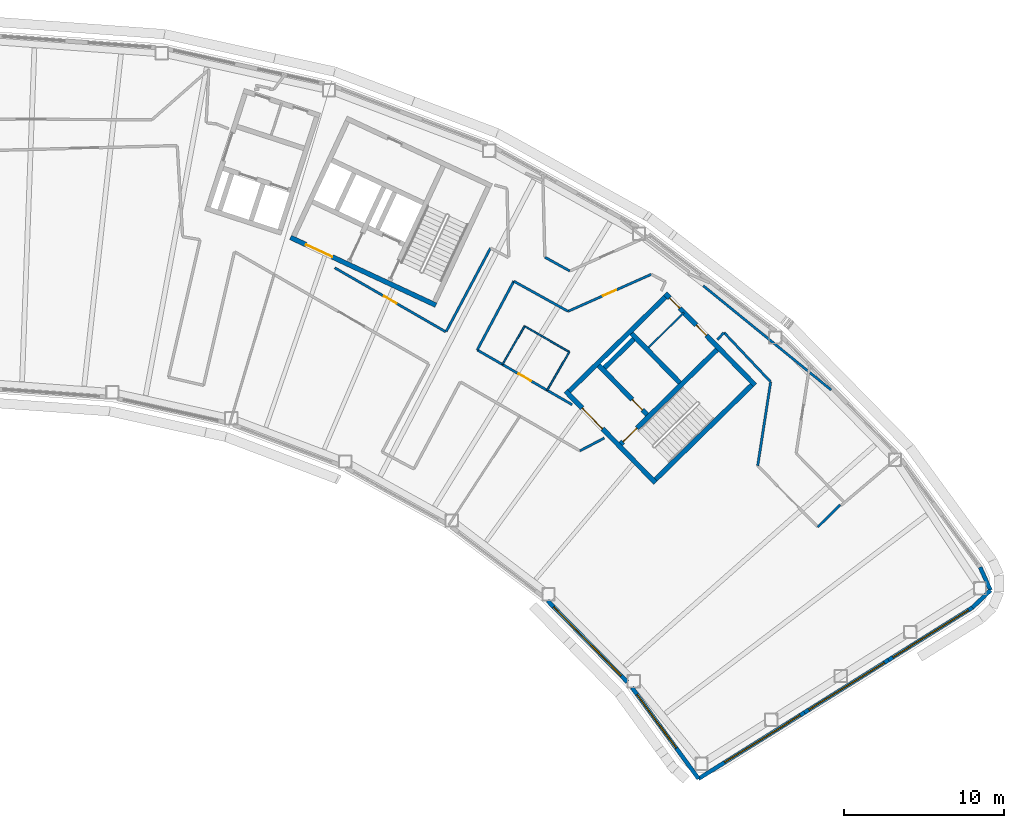
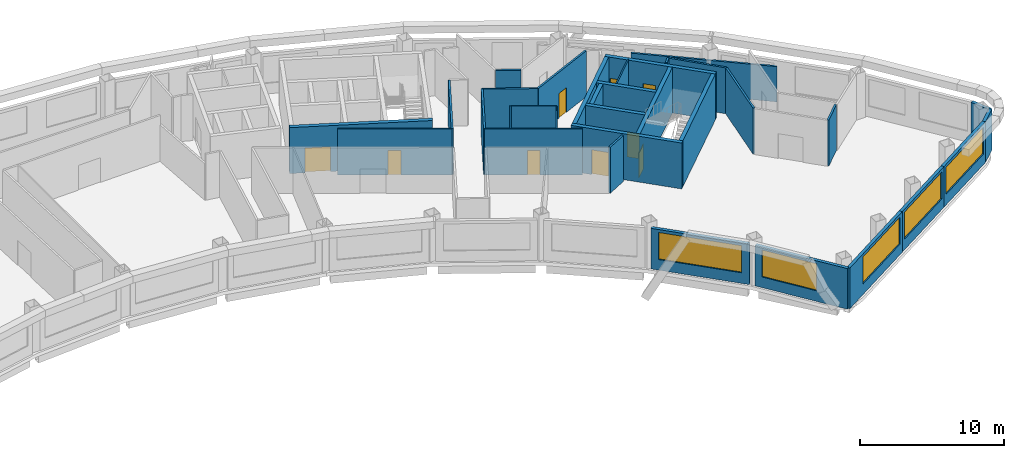
# One storey, part 8 of 13: 33 walls, 9 doors, 5 windows, 14 openings.
"""IFC4 building model written with IfcOpenShell, lengths in metres."""

from ifc_helpers import new_model, si_unit, direction, frame, frame_2d, origin, place, context, subcontext, project, spatial, rectangle, extrude, material, layer, layer_set, type_object, element, fill, save


model = new_model("IFC4")

# Units and contexts
model_context = context("Model", 3, precision=1e-05, world=origin(), true_north=direction((0.0, 1.0)))
body_context = subcontext(model_context, "Body", "Model", "MODEL_VIEW")
ifc_project = project(units=[si_unit("LENGTHUNIT", "METRE"), si_unit("AREAUNIT", "SQUARE_METRE"), si_unit("VOLUMEUNIT", "CUBIC_METRE"), si_unit("PLANEANGLEUNIT", "RADIAN"), si_unit("MASSUNIT", "GRAM", prefix="KILO")], contexts=[model_context])

# Site, building, storey
site_placement = place(None, origin())
site = spatial("IfcSite", under=ifc_project, at=site_placement, CompositionType="ELEMENT")
building_placement = place(site_placement, origin())
building = spatial("IfcBuilding", under=site, at=building_placement, Name="Tuul Gate Civic Tower", CompositionType="ELEMENT")
storey_placement = place(building_placement, frame((0.0, 0.0, 290.0)))
storey = spatial("IfcBuildingStorey", under=building, at=storey_placement, Name="Level 65", CompositionType="ELEMENT", Elevation=290.0)

# Wall, opening, door
ifc_material_1 = material(Name="Concrete C50/60", Category="concrete")
ifc_layer_1 = layer(ifc_material_1, 0.300048828125)
ifc_layer_set_1 = layer_set([ifc_layer_1], Name="Concrete C50/60")
wall_type_1 = type_object("IfcWallType", Name="Core wall C50/60", PredefinedType="SHEAR", material=ifc_layer_set_1)
wall_1_placement = place(storey_placement, frame((48.22509765625, -18.327880859375, 0.0), z_axis=(0.0, 0.0, 1.0), x_axis=(-0.700021979774, 0.714121297703, 0.0)))
wall_1 = element("IfcWall", 1, at=wall_1_placement, inside=storey, type_object=wall_type_1, Name="Core wall", PredefinedType="SHEAR", context=body_context, shape_type="SweptSolid", body=[
    extrude(rectangle(XDim=8.0, YDim=0.300048828125, at=frame_2d((4.0, 0.0))), origin(), (0.0, 0.0, 1.0), 3.89990234375),
])
opening_1_placement = place(wall_1_placement, frame((4.72509765625, 0.0, 0.0)))
opening_1 = element("IfcOpeningElement", 2, at=opening_1_placement, cuts=wall_1, Name="Opening LB-E1-LOBBY-1", PredefinedType="OPENING", context=body_context, shape_type="SweptSolid", body=[
    extrude(rectangle(XDim=1.800048828125, YDim=2.10009765625, at=frame_2d((0.89990234375, 1.050048828125))), frame((0.0, 0.16015625, 0.0), z_axis=(0.0, -1.0, 0.0), x_axis=(1.0, 0.0, 0.0)), (0.0, 0.0, 1.0), 0.320068359375),
])
ifc_material_2 = material(Name="Steel", Category="steel")
door_type_1 = type_object("IfcDoorType", Name="Lobby door", OperationType="DOUBLE_DOOR_SINGLE_SWING", PredefinedType="DOOR", material=ifc_material_2)
door_1_placement = place(opening_1_placement, frame((1.800048828125, 0.0, 0.0), z_axis=(0.0, 0.0, 1.0), x_axis=(-1.0, 0.0, 0.0)))
door_1 = element("IfcDoor", 3, at=door_1_placement, inside=storey, type_object=door_type_1, Name="Lobby door E1-LOBBY", OperationType="DOUBLE_DOOR_SINGLE_SWING", OverallHeight=2.10009765625, OverallWidth=1.800048828125, PredefinedType="DOOR", context=body_context, shape_type="SweptSolid", body=[
    extrude(rectangle(XDim=1.800048828125, YDim=2.10009765625, at=frame_2d((0.900146484375, 1.050048828125))), frame((0.0, 0.02490234375, 0.0), z_axis=(0.0, -1.0, 0.0), x_axis=(1.0, 0.0, 0.0)), (0.0, 0.0, 1.0), 0.050048828125),
])
fill(opening_1, door_1)

wall_2_placement = place(storey_placement, frame((47.701904296875, -14.079833984375, 0.0), z_axis=(0.0, 0.0, 1.0), x_axis=(-0.700002721075, 0.714140175657, 0.0)))
wall_2 = element("IfcWall", 4, at=wall_2_placement, inside=storey, type_object=wall_type_1, Name="Core wall", PredefinedType="SHEAR", context=body_context, shape_type="SweptSolid", body=[
    extrude(rectangle(XDim=4.300048828125, YDim=0.300048828125, at=frame_2d((2.14990234375, 0.0))), origin(), (0.0, 0.0, 1.0), 3.89990234375),
])
opening_2_placement = place(wall_2_placement, frame((0.425048828125, 0.0, 0.0)))
opening_2 = element("IfcOpeningElement", 5, at=opening_2_placement, cuts=wall_2, Name="Opening FB-E1A1", PredefinedType="OPENING", context=body_context, shape_type="SweptSolid", body=[
    extrude(rectangle(XDim=0.89990234375, YDim=2.10009765625, at=frame_2d((0.449951171875, 1.050048828125))), frame((0.0, 0.16015625, 0.0), z_axis=(0.0, -1.0, 0.0), x_axis=(1.0, 0.0, 0.0)), (0.0, 0.0, 1.0), 0.320068359375),
])
ifc_material_3 = material(Name="Steel", Category="steel")
door_type_2 = type_object("IfcDoorType", Name="Store door", OperationType="NOTDEFINED", PredefinedType="DOOR", material=ifc_material_3)
door_2_placement = place(opening_2_placement, frame((0.89990234375, 0.0, 0.0), z_axis=(0.0, 0.0, 1.0), x_axis=(-1.0, 0.0, 0.0)))
door_2 = element("IfcDoor", 6, at=door_2_placement, inside=storey, type_object=door_type_2, Name="Store door E1A1", OperationType="SINGLE_SWING_RIGHT", OverallHeight=2.10009765625, OverallWidth=0.89990234375, PredefinedType="DOOR", context=body_context, shape_type="SweptSolid", body=[
    extrude(rectangle(XDim=0.89990234375, YDim=2.10009765625, at=frame_2d((0.449951171875, 1.050048828125))), frame((0.0, 0.02490234375, 0.0), z_axis=(0.0, -1.0, 0.0), x_axis=(1.0, 0.0, 0.0)), (0.0, 0.0, 1.0), 0.050048828125),
])
fill(opening_2, door_2)

# Wall
wall_3_placement = place(storey_placement, frame((49.737060546875, -12.0849609375, 0.0), z_axis=(0.0, 0.0, 1.0), x_axis=(-0.700002721075, 0.714140175657, 0.0)))
element("IfcWall", 7, at=wall_3_placement, inside=storey, type_object=wall_type_1, Name="Core wall", PredefinedType="SHEAR", context=body_context, shape_type="SweptSolid", body=[
    extrude(rectangle(XDim=4.300048828125, YDim=0.300048828125, at=frame_2d((2.14990234375, 0.0))), origin(), (0.0, 0.0, 1.0), 3.89990234375),
])

# Wall, openings, doors
wall_4_placement = place(storey_placement, frame((54.43798828125, -12.23779296875, 0.0), z_axis=(0.0, 0.0, 1.0), x_axis=(-0.700021979774, 0.714121297703, 0.0)))
wall_4 = element("IfcWall", 8, at=wall_4_placement, inside=storey, type_object=wall_type_1, Name="Core wall", PredefinedType="SHEAR", context=body_context, shape_type="SweptSolid", body=[
    extrude(rectangle(XDim=8.0, YDim=0.300048828125, at=frame_2d((4.0, 0.0))), origin(), (0.0, 0.0, 1.0), 3.89990234375),
])
opening_3_placement = place(wall_4_placement, frame((4.34375, 0.0, 0.0)))
opening_3 = element("IfcOpeningElement", 9, at=opening_3_placement, cuts=wall_4, Name="Opening X-D21", PredefinedType="OPENING", context=body_context, shape_type="SweptSolid", body=[
    extrude(rectangle(XDim=0.89990234375, YDim=2.10009765625, at=frame_2d((0.449951171875, 1.050048828125))), frame((0.0, 0.16015625, 0.0), z_axis=(0.0, -1.0, 0.0), x_axis=(1.0, 0.0, 0.0)), (0.0, 0.0, 1.0), 0.320068359375),
])
opening_4_placement = place(wall_4_placement, frame((6.71875, 0.0, 0.0)))
opening_4 = element("IfcOpeningElement", 10, at=opening_4_placement, cuts=wall_4, Name="Opening X-D22", PredefinedType="OPENING", context=body_context, shape_type="SweptSolid", body=[
    extrude(rectangle(XDim=0.89990234375, YDim=2.10009765625, at=frame_2d((0.449951171875, 1.050048828125))), frame((0.0, 0.16015625, 0.0), z_axis=(0.0, -1.0, 0.0), x_axis=(1.0, 0.0, 0.0)), (0.0, 0.0, 1.0), 0.320068359375),
])
ifc_material_4 = material(Name="Timber door leaf", Category="wood")
door_type_3 = type_object("IfcDoorType", Name="Door D09", OperationType="NOTDEFINED", PredefinedType="DOOR", material=ifc_material_4)
door_3_placement = place(opening_3_placement, origin())
door_3 = element("IfcDoor", 11, at=door_3_placement, inside=storey, type_object=door_type_3, Name="Door X-D21", OperationType="SINGLE_SWING_LEFT", OverallHeight=2.10009765625, OverallWidth=0.89990234375, PredefinedType="DOOR", context=body_context, shape_type="SweptSolid", body=[
    extrude(rectangle(XDim=0.89990234375, YDim=2.10009765625, at=frame_2d((0.449951171875, 1.050048828125))), frame((0.0, 0.02490234375, 0.0), z_axis=(0.0, -1.0, 0.0), x_axis=(1.0, 0.0, 0.0)), (0.0, 0.0, 1.0), 0.050048828125),
])
fill(opening_3, door_3)
door_4_placement = place(opening_4_placement, origin())
door_4 = element("IfcDoor", 12, at=door_4_placement, inside=storey, type_object=door_type_3, Name="Door X-D22", OperationType="SINGLE_SWING_LEFT", OverallHeight=2.10009765625, OverallWidth=0.89990234375, PredefinedType="DOOR", context=body_context, shape_type="SweptSolid", body=[
    extrude(rectangle(XDim=0.89990234375, YDim=2.10009765625, at=frame_2d((0.449951171875, 1.050048828125))), frame((0.0, 0.02490234375, 0.0), z_axis=(0.0, -1.0, 0.0), x_axis=(1.0, 0.0, 0.0)), (0.0, 0.0, 1.0), 0.050048828125),
])
fill(opening_4, door_4)

# Wall
wall_5_placement = place(storey_placement, frame((48.227294921875, -18.115966796875, 0.0), z_axis=(0.0, 0.0, 1.0), x_axis=(0.714105315431, 0.700038283577, 0.0)))
element("IfcWall", 13, at=wall_5_placement, inside=storey, type_object=wall_type_1, Name="Core wall", PredefinedType="SHEAR", context=body_context, shape_type="SweptSolid", body=[
    extrude(rectangle(XDim=8.400146484375, YDim=0.300048828125, at=frame_2d((4.2001953125, 0.0))), origin(), (0.0, 0.0, 1.0), 3.89990234375),
])

# Wall, opening, door
wall_6_placement = place(storey_placement, frame((46.05712890625, -15.902099609375, 0.0), z_axis=(0.0, 0.0, 1.0), x_axis=(0.714134086973, 0.700008932674, 0.0)))
wall_6 = element("IfcWall", 14, at=wall_6_placement, inside=storey, type_object=wall_type_1, Name="Core wall", PredefinedType="SHEAR", context=body_context, shape_type="SweptSolid", body=[
    extrude(rectangle(XDim=8.400146484375, YDim=0.300048828125, at=frame_2d((4.2001953125, 0.0))), origin(), (0.0, 0.0, 1.0), 3.89990234375),
])
opening_5_placement = place(wall_6_placement, frame((0.199951171875, 0.0, 0.0)))
opening_5 = element("IfcOpeningElement", 15, at=opening_5_placement, cuts=wall_6, Name="Opening SD-ST-3", PredefinedType="OPENING", context=body_context, shape_type="SweptSolid", body=[
    extrude(rectangle(XDim=1.199951171875, YDim=2.10009765625, at=frame_2d((0.60009765625, 1.050048828125))), frame((0.0, 0.16015625, 0.0), z_axis=(0.0, -1.0, 0.0), x_axis=(1.0, 0.0, 0.0)), (0.0, 0.0, 1.0), 0.320068359375),
])
ifc_material_5 = material(Name="Steel", Category="steel")
door_type_4 = type_object("IfcDoorType", Name="Stair door", OperationType="NOTDEFINED", PredefinedType="DOOR", material=ifc_material_5)
door_5_placement = place(opening_5_placement, origin())
door_5 = element("IfcDoor", 16, at=door_5_placement, inside=storey, type_object=door_type_4, Name="Stair door ST-3", OperationType="SINGLE_SWING_LEFT", OverallHeight=2.10009765625, OverallWidth=1.199951171875, PredefinedType="DOOR", context=body_context, shape_type="SweptSolid", body=[
    extrude(rectangle(XDim=1.199951171875, YDim=2.10009765625, at=frame_2d((0.60009765625, 1.050048828125))), frame((0.0, 0.02490234375, 0.0), z_axis=(0.0, -1.0, 0.0), x_axis=(1.0, 0.0, 0.0)), (0.0, 0.0, 1.0), 0.050048828125),
])
fill(opening_5, door_5)

# Walls
wall_7_placement = place(storey_placement, frame((45.0439453125, -11.154052734375, 0.0), z_axis=(0.0, 0.0, 1.0), x_axis=(0.714108498262, 0.700035036773, 0.0)))
element("IfcWall", 17, at=wall_7_placement, inside=storey, type_object=wall_type_1, Name="Core wall", PredefinedType="SHEAR", context=body_context, shape_type="SweptSolid", body=[
    extrude(rectangle(XDim=2.550048828125, YDim=0.300048828125, at=frame_2d((1.27490234375, 0.0))), origin(), (0.0, 0.0, 1.0), 3.89990234375),
])
wall_8_placement = place(storey_placement, frame((42.837158203125, -12.616943359375, 0.0), z_axis=(0.0, 0.0, 1.0), x_axis=(0.714119844755, 0.700023461983, 0.0)))
element("IfcWall", 18, at=wall_8_placement, inside=storey, type_object=wall_type_1, Name="Core wall", PredefinedType="SHEAR", context=body_context, shape_type="SweptSolid", body=[
    extrude(rectangle(XDim=8.39990234375, YDim=0.300048828125, at=frame_2d((4.199951171875, 0.0))), origin(), (0.0, 0.0, 1.0), 3.89990234375),
])

# Wall, opening, door
wall_9_placement = place(storey_placement, frame((34.5283203125, -7.25, 0.0), z_axis=(0.0, 0.0, 1.0), x_axis=(-0.906310338845, 0.422612789327, 0.0)))
wall_9 = element("IfcWall", 19, at=wall_9_placement, inside=storey, type_object=wall_type_1, Name="Core wall", PredefinedType="SHEAR", context=body_context, shape_type="SweptSolid", body=[
    extrude(rectangle(XDim=9.999755859375, YDim=0.300048828125, at=frame_2d((5.0, 0.0))), origin(), (0.0, 0.0, 1.0), 3.89990234375),
])
opening_6_placement = place(wall_9_placement, frame((7.125, 0.0, 0.0)))
opening_6 = element("IfcOpeningElement", 20, at=opening_6_placement, cuts=wall_9, Name="Opening LB-E3-LOBBY-1", PredefinedType="OPENING", context=body_context, shape_type="SweptSolid", body=[
    extrude(rectangle(XDim=1.800048828125, YDim=2.10009765625, at=frame_2d((0.89990234375, 1.050048828125))), frame((0.0, 0.16015625, 0.0), z_axis=(0.0, -1.0, 0.0), x_axis=(1.0, 0.0, 0.0)), (0.0, 0.0, 1.0), 0.320068359375),
])
door_6_placement = place(opening_6_placement, frame((1.800048828125, 0.0, 0.0), z_axis=(0.0, 0.0, 1.0), x_axis=(-1.0, 0.0, 0.0)))
door_6 = element("IfcDoor", 21, at=door_6_placement, inside=storey, type_object=door_type_1, Name="Lobby door E3-LOBBY", OperationType="DOUBLE_DOOR_SINGLE_SWING", OverallHeight=2.10009765625, OverallWidth=1.800048828125, PredefinedType="DOOR", context=body_context, shape_type="SweptSolid", body=[
    extrude(rectangle(XDim=1.800048828125, YDim=2.10009765625, at=frame_2d((0.900146484375, 1.050048828125))), frame((0.0, 0.02490234375, 0.0), z_axis=(0.0, -1.0, 0.0), x_axis=(1.0, 0.0, 0.0)), (0.0, 0.0, 1.0), 0.050048828125),
])
fill(opening_6, door_6)

# Walls
ifc_material_6 = material(Name="Gypsum board partition")
ifc_layer_2 = layer(ifc_material_6, 0.14990234375)
ifc_layer_set_2 = layer_set([ifc_layer_2], Name="Gypsum board partition")
wall_type_2 = type_object("IfcWallType", Name="Corridor wall P150", PredefinedType="PARTITIONING", material=ifc_layer_set_2)
wall_10_placement = place(storey_placement, frame((41.333984375, -4.260986328125, 0.0), z_axis=(0.0, 0.0, 1.0), x_axis=(0.874627690109, -0.484795218309, 0.0)))
element("IfcWall", 22, at=wall_10_placement, inside=storey, type_object=wall_type_2, Name="p006", PredefinedType="PARTITIONING", context=body_context, shape_type="SweptSolid", body=[
    extrude(rectangle(XDim=1.760986328125, YDim=0.14990234375, at=frame_2d((0.88037109375, 0.0))), origin(), (0.0, 0.0, 1.0), 3.89990234375),
])
wall_11_placement = place(storey_placement, frame((58.34130859375, -21.0751953125, 0.0), z_axis=(0.0, 0.0, 1.0), x_axis=(0.714144599539, 0.699998207819, 0.0)))
element("IfcWall", 23, at=wall_11_placement, inside=storey, type_object=wall_type_2, Name="p012", PredefinedType="PARTITIONING", context=body_context, shape_type="SweptSolid", body=[
    extrude(rectangle(XDim=1.967529296875, YDim=0.14990234375, at=frame_2d((0.98388671875, 0.0))), origin(), (0.0, 0.0, 1.0), 3.89990234375),
])
wall_12_placement = place(storey_placement, frame((52.0791015625, -9.403076171875, 0.0), z_axis=(0.0, 0.0, 1.0), x_axis=(0.677422888488, 0.735593794259, 0.0)))
element("IfcWall", 24, at=wall_12_placement, inside=storey, type_object=wall_type_2, Name="p044", PredefinedType="PARTITIONING", context=body_context, shape_type="SweptSolid", body=[
    extrude(rectangle(XDim=0.591796875, YDim=0.14990234375, at=frame_2d((0.2958984375, 0.0))), origin(), (0.0, 0.0, 1.0), 3.89990234375),
])
wall_13_placement = place(storey_placement, frame((52.505126953125, -8.96484375, 0.0), z_axis=(0.0, 0.0, 1.0), x_axis=(0.686843203752, -0.726805622886, 0.0)))
element("IfcWall", 25, at=wall_13_placement, inside=storey, type_object=wall_type_2, Name="p045", PredefinedType="PARTITIONING", context=body_context, shape_type="SweptSolid", body=[
    extrude(rectangle(XDim=4.209228515625, YDim=0.14990234375, at=frame_2d((2.1044921875, 0.0))), origin(), (0.0, 0.0, 1.0), 3.89990234375),
])
wall_14_placement = place(storey_placement, frame((54.597900390625, -17.256591796875, 0.0), z_axis=(0.0, 0.0, 1.0), x_axis=(0.152321427005, 0.988331008759, 0.0)))
element("IfcWall", 26, at=wall_14_placement, inside=storey, type_object=wall_type_2, Name="p046", PredefinedType="PARTITIONING", context=body_context, shape_type="SweptSolid", body=[
    extrude(rectangle(XDim=5.2763671875, YDim=0.14990234375, at=frame_2d((2.63818359375, 0.0))), origin(), (0.0, 0.0, 1.0), 3.89990234375),
])
wall_15_placement = place(storey_placement, frame((43.512451171875, -16.329833984375, 0.0), z_axis=(0.0, 0.0, 1.0), x_axis=(0.885536689091, 0.464569448279, 0.0)))
element("IfcWall", 27, at=wall_15_placement, inside=storey, type_object=wall_type_2, Name="p050", PredefinedType="PARTITIONING", context=body_context, shape_type="SweptSolid", body=[
    extrude(rectangle(XDim=1.718994140625, YDim=0.14990234375, at=frame_2d((0.859375, 0.0))), origin(), (0.0, 0.0, 1.0), 3.89990234375),
])
wall_16_placement = place(storey_placement, frame((35.16748046875, -8.897216796875, 0.0), z_axis=(0.0, 0.0, 1.0), x_axis=(0.469451695626, 0.882958156128, 0.0)))
element("IfcWall", 28, at=wall_16_placement, inside=storey, type_object=wall_type_2, Name="p053", PredefinedType="PARTITIONING", context=body_context, shape_type="SweptSolid", body=[
    extrude(rectangle(XDim=5.89990234375, YDim=0.14990234375, at=frame_2d((2.949951171875, 0.0))), origin(), (0.0, 0.0, 1.0), 3.89990234375),
])
wall_17_placement = place(storey_placement, frame((37.10791015625, -10.040283203125, 0.0), z_axis=(0.0, 0.0, 1.0), x_axis=(0.469444477651, 0.882961993748, 0.0)))
element("IfcWall", 29, at=wall_17_placement, inside=storey, type_object=wall_type_2, Name="p056", PredefinedType="PARTITIONING", context=body_context, shape_type="SweptSolid", body=[
    extrude(rectangle(XDim=4.854248046875, YDim=0.14990234375, at=frame_2d((2.42724609375, 0.0))), origin(), (0.0, 0.0, 1.0), 3.89990234375),
])

# Wall, opening, door
wall_18_placement = place(storey_placement, frame((28.224609375, -4.9189453125, 0.0), z_axis=(0.0, 0.0, 1.0), x_axis=(0.866331707471, -0.499469090766, 0.0)))
wall_18 = element("IfcWall", 30, at=wall_18_placement, inside=storey, type_object=wall_type_2, Name="p094", PredefinedType="PARTITIONING", context=body_context, shape_type="SweptSolid", body=[
    extrude(rectangle(XDim=7.981201171875, YDim=0.14990234375, at=frame_2d((3.99072265625, 0.0))), origin(), (0.0, 0.0, 1.0), 3.89990234375),
])
opening_7_placement = place(wall_18_placement, frame((3.540771484375, 0.0, 0.0)))
opening_7 = element("IfcOpeningElement", 31, at=opening_7_placement, cuts=wall_18, Name="Opening X-D14", PredefinedType="OPENING", context=body_context, shape_type="SweptSolid", body=[
    extrude(rectangle(XDim=0.89990234375, YDim=2.10009765625, at=frame_2d((0.449951171875, 1.050048828125))), frame((0.0, 0.0849609375, 0.0), z_axis=(0.0, -1.0, 0.0), x_axis=(1.0, 0.0, 0.0)), (0.0, 0.0, 1.0), 0.169921875),
])
door_7_placement = place(opening_7_placement, frame((0.89990234375, 0.0, 0.0), z_axis=(0.0, 0.0, 1.0), x_axis=(-1.0, 0.0, 0.0)))
door_7 = element("IfcDoor", 32, at=door_7_placement, inside=storey, type_object=door_type_3, Name="Door X-D14", OperationType="SINGLE_SWING_LEFT", OverallHeight=2.10009765625, OverallWidth=0.89990234375, PredefinedType="DOOR", context=body_context, shape_type="SweptSolid", body=[
    extrude(rectangle(XDim=0.89990234375, YDim=2.10009765625, at=frame_2d((0.449951171875, 1.050048828125))), frame((0.0, 0.02490234375, 0.0), z_axis=(0.0, -1.0, 0.0), x_axis=(1.0, 0.0, 0.0)), (0.0, 0.0, 1.0), 0.050048828125),
])
fill(opening_7, door_7)

wall_19_placement = place(storey_placement, frame((37.10791015625, -10.040283203125, 0.0), z_axis=(0.0, 0.0, 1.0), x_axis=(0.866329563851, -0.499472808867, 0.0)))
wall_19 = element("IfcWall", 33, at=wall_19_placement, inside=storey, type_object=wall_type_2, Name="p095", PredefinedType="PARTITIONING", context=body_context, shape_type="SweptSolid", body=[
    extrude(rectangle(XDim=6.829833984375, YDim=0.14990234375, at=frame_2d((3.4150390625, 0.0))), origin(), (0.0, 0.0, 1.0), 3.89990234375),
])
opening_8_placement = place(wall_19_placement, frame((2.974853515625, 0.0, 0.0)))
opening_8 = element("IfcOpeningElement", 34, at=opening_8_placement, cuts=wall_19, Name="Opening X-D16", PredefinedType="OPENING", context=body_context, shape_type="SweptSolid", body=[
    extrude(rectangle(XDim=0.89990234375, YDim=2.10009765625, at=frame_2d((0.449951171875, 1.050048828125))), frame((0.0, 0.0849609375, 0.0), z_axis=(0.0, -1.0, 0.0), x_axis=(1.0, 0.0, 0.0)), (0.0, 0.0, 1.0), 0.169921875),
])
door_8_placement = place(opening_8_placement, origin())
door_8 = element("IfcDoor", 35, at=door_8_placement, inside=storey, type_object=door_type_3, Name="Door X-D16", OperationType="SINGLE_SWING_RIGHT", OverallHeight=2.10009765625, OverallWidth=0.89990234375, PredefinedType="DOOR", context=body_context, shape_type="SweptSolid", body=[
    extrude(rectangle(XDim=0.89990234375, YDim=2.10009765625, at=frame_2d((0.449951171875, 1.050048828125))), frame((0.0, 0.02490234375, 0.0), z_axis=(0.0, -1.0, 0.0), x_axis=(1.0, 0.0, 0.0)), (0.0, 0.0, 1.0), 0.050048828125),
])
fill(opening_8, door_8)

wall_20_placement = place(storey_placement, frame((42.772705078125, -7.631103515625, 0.0), z_axis=(0.0, 0.0, 1.0), x_axis=(0.913866493061, 0.406014818522, 0.0)))
wall_20 = element("IfcWall", 36, at=wall_20_placement, inside=storey, type_object=wall_type_2, Name="p103", PredefinedType="PARTITIONING", context=body_context, shape_type="SweptSolid", body=[
    extrude(rectangle(XDim=5.679443359375, YDim=0.14990234375, at=frame_2d((2.83984375, 0.0))), origin(), (0.0, 0.0, 1.0), 3.89990234375),
])
opening_9_placement = place(wall_20_placement, frame((2.3896484375, 0.0, 0.0)))
opening_9 = element("IfcOpeningElement", 37, at=opening_9_placement, cuts=wall_20, Name="Opening X-D17", PredefinedType="OPENING", context=body_context, shape_type="SweptSolid", body=[
    extrude(rectangle(XDim=0.89990234375, YDim=2.10009765625, at=frame_2d((0.449951171875, 1.050048828125))), frame((0.0, 0.0849609375, 0.0), z_axis=(0.0, -1.0, 0.0), x_axis=(1.0, 0.0, 0.0)), (0.0, 0.0, 1.0), 0.169921875),
])
door_9_placement = place(opening_9_placement, frame((0.89990234375, 0.0, 0.0), z_axis=(0.0, 0.0, 1.0), x_axis=(-1.0, 0.0, 0.0)))
door_9 = element("IfcDoor", 38, at=door_9_placement, inside=storey, type_object=door_type_3, Name="Door X-D17", OperationType="SINGLE_SWING_LEFT", OverallHeight=2.10009765625, OverallWidth=0.89990234375, PredefinedType="DOOR", context=body_context, shape_type="SweptSolid", body=[
    extrude(rectangle(XDim=0.89990234375, YDim=2.10009765625, at=frame_2d((0.449951171875, 1.050048828125))), frame((0.0, 0.02490234375, 0.0), z_axis=(0.0, -1.0, 0.0), x_axis=(1.0, 0.0, 0.0)), (0.0, 0.0, 1.0), 0.050048828125),
])
fill(opening_9, door_9)

# Walls
wall_21_placement = place(storey_placement, frame((39.38671875, -5.754150390625, 0.0), z_axis=(0.0, 0.0, 1.0), x_axis=(0.874612012193, -0.484823502036, 0.0)))
element("IfcWall", 39, at=wall_21_placement, inside=storey, type_object=wall_type_2, Name="p104", PredefinedType="PARTITIONING", context=body_context, shape_type="SweptSolid", body=[
    extrude(rectangle(XDim=3.871337890625, YDim=0.14990234375, at=frame_2d((1.935546875, 0.0))), origin(), (0.0, 0.0, 1.0), 3.89990234375),
])
ifc_material_7 = material(Name="Gypsum board partition")
ifc_layer_3 = layer(ifc_material_7, 0.14990234375)
ifc_layer_set_3 = layer_set([ifc_layer_3], Name="Gypsum board partition")
wall_type_3 = type_object("IfcWallType", Name="Corridor wall P150 3000 HIGH", PredefinedType="PARTITIONING", material=ifc_layer_set_3)
wall_22_placement = place(storey_placement, frame((51.200927734375, -6.038330078125, 0.0), z_axis=(0.0, 0.0, 1.0), x_axis=(0.775434697888, -0.631427770462, 0.0)))
element("IfcWall", 40, at=wall_22_placement, inside=storey, type_object=wall_type_3, Name="p004", PredefinedType="PARTITIONING", context=body_context, shape_type="SweptSolid", body=[
    extrude(rectangle(XDim=10.28564453125, YDim=0.14990234375, at=frame_2d((5.142822265625, 0.0))), origin(), (0.0, 0.0, 1.0), 3.0),
])
ifc_material_8 = material(Name="Precast concrete C40/50", Category="concrete")
ifc_layer_4 = layer(ifc_material_8, 0.25)
ifc_layer_set_4 = layer_set([ifc_layer_4], Name="Precast concrete C40/50")
wall_type_4 = type_object("IfcWallType", Name="External wall", PredefinedType="STANDARD", material=ifc_layer_set_4)
wall_23_placement = place(storey_placement, frame((67.978515625, -26.109619140625, 0.0), z_axis=(0.0, 0.0, 1.0), x_axis=(0.722172557321, 0.691712944402, 0.0)))
element("IfcWall", 41, at=wall_23_placement, inside=storey, type_object=wall_type_4, Name="External wall", PredefinedType="STANDARD", context=body_context, shape_type="SweptSolid", body=[
    extrude(rectangle(XDim=1.571044921875, YDim=0.25, at=frame_2d((0.78564453125, 0.0))), origin(), (0.0, 0.0, 1.0), 3.449951171875),
])
wall_24_placement = place(storey_placement, frame((69.113037109375, -25.02294921875, 0.0), z_axis=(0.0, 0.0, 1.0), x_axis=(-0.412385905797, 0.9110092561, 0.0)))
element("IfcWall", 42, at=wall_24_placement, inside=storey, type_object=wall_type_4, Name="External wall", PredefinedType="STANDARD", context=body_context, shape_type="SweptSolid", body=[
    extrude(rectangle(XDim=1.5712890625, YDim=0.25, at=frame_2d((0.78564453125, 0.0))), origin(), (0.0, 0.0, 1.0), 3.449951171875),
])

# Wall, opening, window
wall_25_placement = place(storey_placement, frame((41.49072265625, -25.6708984375, 0.0), z_axis=(0.0, 0.0, 1.0), x_axis=(0.700033997015, -0.714109517528, 0.0)))
wall_25 = element("IfcWall", 43, at=wall_25_placement, inside=storey, type_object=wall_type_4, Name="External wall", PredefinedType="STANDARD", context=body_context, shape_type="SweptSolid", body=[
    extrude(rectangle(XDim=7.111572265625, YDim=0.25, at=frame_2d((3.5556640625, 0.0))), origin(), (0.0, 0.0, 1.0), 3.449951171875),
])
opening_10_placement = place(wall_25_placement, frame((0.555419921875, 0.0, 0.89990234375)))
opening_10 = element("IfcOpeningElement", 44, at=opening_10_placement, cuts=wall_25, Name="Opening W26", PredefinedType="OPENING", context=body_context, shape_type="SweptSolid", body=[
    extrude(rectangle(XDim=6.0, YDim=2.300048828125, at=frame_2d((3.0, 1.14990234375))), frame((0.0, 0.135009765625, 0.0), z_axis=(0.0, -1.0, 0.0), x_axis=(1.0, 0.0, 0.0)), (0.0, 0.0, 1.0), 0.27001953125),
])
ifc_material_9 = material(Name="Glass", Category="glass")
window_type_1 = type_object("IfcWindowType", Name="Window W26 6000 x 2300", PartitioningType="SINGLE_PANEL", PredefinedType="WINDOW", material=ifc_material_9)
window_1_placement = place(opening_10_placement, origin())
window_1 = element("IfcWindow", 45, at=window_1_placement, inside=storey, type_object=window_type_1, Name="Window", OverallHeight=2.300048828125, OverallWidth=6.0, PartitioningType="SINGLE_PANEL", PredefinedType="WINDOW", context=body_context, shape_type="SweptSolid", body=[
    extrude(rectangle(XDim=6.0, YDim=2.300048828125, at=frame_2d((3.0, 1.14990234375))), frame((0.0, 0.030029296875, 0.0), z_axis=(0.0, -1.0, 0.0), x_axis=(1.0, 0.0, 0.0)), (0.0, 0.0, 1.0), 0.06005859375),
])
fill(opening_10, window_1)

wall_26_placement = place(storey_placement, frame((46.7587890625, -31.093017578125, 0.0), z_axis=(0.0, 0.0, 1.0), x_axis=(0.589839929294, -0.807520190343, 0.0)))
wall_26 = element("IfcWall", 46, at=wall_26_placement, inside=storey, type_object=wall_type_4, Name="External wall", PredefinedType="STANDARD", context=body_context, shape_type="SweptSolid", body=[
    extrude(rectangle(XDim=7.034423828125, YDim=0.25, at=frame_2d((3.51708984375, 0.0))), origin(), (0.0, 0.0, 1.0), 3.449951171875),
])
opening_11_placement = place(wall_26_placement, frame((0.52783203125, 0.0, 0.89990234375)))
opening_11 = element("IfcOpeningElement", 47, at=opening_11_placement, cuts=wall_26, Name="Opening W25", PredefinedType="OPENING", context=body_context, shape_type="SweptSolid", body=[
    extrude(rectangle(XDim=4.14990234375, YDim=2.300048828125, at=frame_2d((2.074951171875, 1.14990234375))), frame((0.0, 0.135009765625, 0.0), z_axis=(0.0, -1.0, 0.0), x_axis=(1.0, 0.0, 0.0)), (0.0, 0.0, 1.0), 0.27001953125),
])
ifc_material_10 = material(Name="Glass", Category="glass")
window_type_2 = type_object("IfcWindowType", Name="Window W25 4150 x 2300", PartitioningType="SINGLE_PANEL", PredefinedType="WINDOW", material=ifc_material_10)
window_2_placement = place(opening_11_placement, origin())
window_2 = element("IfcWindow", 48, at=window_2_placement, inside=storey, type_object=window_type_2, Name="Window", OverallHeight=2.300048828125, OverallWidth=4.14990234375, PartitioningType="SINGLE_PANEL", PredefinedType="WINDOW", context=body_context, shape_type="SweptSolid", body=[
    extrude(rectangle(XDim=4.14990234375, YDim=2.300048828125, at=frame_2d((2.074951171875, 1.14990234375))), frame((0.0, 0.030029296875, 0.0), z_axis=(0.0, -1.0, 0.0), x_axis=(1.0, 0.0, 0.0)), (0.0, 0.0, 1.0), 0.06005859375),
])
fill(opening_11, window_2)

wall_27_placement = place(storey_placement, frame((50.907958984375, -36.7734375, 0.0), z_axis=(0.0, 0.0, 1.0), x_axis=(0.848052898081, 0.529911579471, 0.0)))
wall_27 = element("IfcWall", 49, at=wall_27_placement, inside=storey, type_object=wall_type_4, Name="External wall", PredefinedType="STANDARD", context=body_context, shape_type="SweptSolid", body=[
    extrude(rectangle(XDim=7.78759765625, YDim=0.25, at=frame_2d((3.893798828125, 0.0))), origin(), (0.0, 0.0, 1.0), 3.449951171875),
])
opening_12_placement = place(wall_27_placement, frame((1.921142578125, 0.0, 0.89990234375)))
opening_12 = element("IfcOpeningElement", 50, at=opening_12_placement, cuts=wall_27, Name="Opening W24", PredefinedType="OPENING", context=body_context, shape_type="SweptSolid", body=[
    extrude(rectangle(XDim=5.550048828125, YDim=2.300048828125, at=frame_2d((2.77490234375, 1.14990234375))), frame((0.0, 0.135009765625, 0.0), z_axis=(0.0, -1.0, 0.0), x_axis=(1.0, 0.0, 0.0)), (0.0, 0.0, 1.0), 0.27001953125),
])
ifc_material_11 = material(Name="Glass", Category="glass")
window_type_3 = type_object("IfcWindowType", Name="Window W24 5550 x 2300", PartitioningType="SINGLE_PANEL", PredefinedType="WINDOW", material=ifc_material_11)
window_3_placement = place(opening_12_placement, origin())
window_3 = element("IfcWindow", 51, at=window_3_placement, inside=storey, type_object=window_type_3, Name="Window", OverallHeight=2.300048828125, OverallWidth=5.550048828125, PartitioningType="SINGLE_PANEL", PredefinedType="WINDOW", context=body_context, shape_type="SweptSolid", body=[
    extrude(rectangle(XDim=5.550048828125, YDim=2.300048828125, at=frame_2d((2.77490234375, 1.14990234375))), frame((0.0, 0.030029296875, 0.0), z_axis=(0.0, -1.0, 0.0), x_axis=(1.0, 0.0, 0.0)), (0.0, 0.0, 1.0), 0.06005859375),
])
fill(opening_12, window_3)

wall_28_placement = place(storey_placement, frame((57.51220703125, -32.646728515625, 0.0), z_axis=(0.0, 0.0, 1.0), x_axis=(0.848042669488, 0.529927948619, 0.0)))
wall_28 = element("IfcWall", 52, at=wall_28_placement, inside=storey, type_object=wall_type_4, Name="External wall", PredefinedType="STANDARD", context=body_context, shape_type="SweptSolid", body=[
    extrude(rectangle(XDim=6.1826171875, YDim=0.25, at=frame_2d((3.09130859375, 0.0))), origin(), (0.0, 0.0, 1.0), 3.449951171875),
])
opening_13_placement = place(wall_28_placement, frame((0.31640625, 0.0, 0.89990234375)))
opening_13 = element("IfcOpeningElement", 53, at=opening_13_placement, cuts=wall_28, Name="Opening W24", PredefinedType="OPENING", context=body_context, shape_type="SweptSolid", body=[
    extrude(rectangle(XDim=5.550048828125, YDim=2.300048828125, at=frame_2d((2.77490234375, 1.14990234375))), frame((0.0, 0.135009765625, 0.0), z_axis=(0.0, -1.0, 0.0), x_axis=(1.0, 0.0, 0.0)), (0.0, 0.0, 1.0), 0.27001953125),
])
window_4_placement = place(opening_13_placement, origin())
window_4 = element("IfcWindow", 54, at=window_4_placement, inside=storey, type_object=window_type_3, Name="Window", OverallHeight=2.300048828125, OverallWidth=5.550048828125, PartitioningType="SINGLE_PANEL", PredefinedType="WINDOW", context=body_context, shape_type="SweptSolid", body=[
    extrude(rectangle(XDim=5.550048828125, YDim=2.300048828125, at=frame_2d((2.77490234375, 1.14990234375))), frame((0.0, 0.030029296875, 0.0), z_axis=(0.0, -1.0, 0.0), x_axis=(1.0, 0.0, 0.0)), (0.0, 0.0, 1.0), 0.06005859375),
])
fill(opening_13, window_4)

wall_29_placement = place(storey_placement, frame((62.75537109375, -29.370361328125, 0.0), z_axis=(0.0, 0.0, 1.0), x_axis=(0.848053758074, 0.529910203164, 0.0)))
wall_29 = element("IfcWall", 55, at=wall_29_placement, inside=storey, type_object=wall_type_4, Name="External wall", PredefinedType="STANDARD", context=body_context, shape_type="SweptSolid", body=[
    extrude(rectangle(XDim=6.182861328125, YDim=0.25, at=frame_2d((3.09130859375, 0.0))), origin(), (0.0, 0.0, 1.0), 3.449951171875),
])
opening_14_placement = place(wall_29_placement, frame((0.31640625, 0.0, 0.89990234375)))
opening_14 = element("IfcOpeningElement", 56, at=opening_14_placement, cuts=wall_29, Name="Opening W24", PredefinedType="OPENING", context=body_context, shape_type="SweptSolid", body=[
    extrude(rectangle(XDim=5.550048828125, YDim=2.300048828125, at=frame_2d((2.77490234375, 1.14990234375))), frame((0.0, 0.135009765625, 0.0), z_axis=(0.0, -1.0, 0.0), x_axis=(1.0, 0.0, 0.0)), (0.0, 0.0, 1.0), 0.27001953125),
])
window_5_placement = place(opening_14_placement, origin())
window_5 = element("IfcWindow", 57, at=window_5_placement, inside=storey, type_object=window_type_3, Name="Window", OverallHeight=2.300048828125, OverallWidth=5.550048828125, PartitioningType="SINGLE_PANEL", PredefinedType="WINDOW", context=body_context, shape_type="SweptSolid", body=[
    extrude(rectangle(XDim=5.550048828125, YDim=2.300048828125, at=frame_2d((2.77490234375, 1.14990234375))), frame((0.0, 0.030029296875, 0.0), z_axis=(0.0, -1.0, 0.0), x_axis=(1.0, 0.0, 0.0)), (0.0, 0.0, 1.0), 0.06005859375),
])
fill(opening_14, window_5)

# Walls
ifc_material_12 = material(Name="Gypsum board partition")
ifc_layer_5 = layer(ifc_material_12, 0.10009765625)
ifc_layer_set_5 = layer_set([ifc_layer_5], Name="Gypsum board partition")
wall_type_5 = type_object("IfcWallType", Name="Partition P100", PredefinedType="PARTITIONING", material=ifc_layer_set_5)
wall_30_placement = place(storey_placement, frame((38.68017578125, -10.94677734375, 0.0), z_axis=(0.0, 0.0, 1.0), x_axis=(0.499431428362, 0.866353420011, 0.0)))
element("IfcWall", 58, at=wall_30_placement, inside=storey, type_object=wall_type_5, Name="p098", PredefinedType="PARTITIONING", context=body_context, shape_type="SweptSolid", body=[
    extrude(rectangle(XDim=2.760009765625, YDim=0.10009765625, at=frame_2d((1.3798828125, 0.0))), origin(), (0.0, 0.0, 1.0), 3.89990234375),
])
wall_31_placement = place(storey_placement, frame((40.05859375, -8.5556640625, 0.0), z_axis=(0.0, 0.0, 1.0), x_axis=(0.866347115768, -0.499442364043, 0.0)))
element("IfcWall", 59, at=wall_31_placement, inside=storey, type_object=wall_type_5, Name="p099", PredefinedType="PARTITIONING", context=body_context, shape_type="SweptSolid", body=[
    extrude(rectangle(XDim=3.219970703125, YDim=0.10009765625, at=frame_2d((1.60986328125, 0.0))), origin(), (0.0, 0.0, 1.0), 3.89990234375),
])
wall_32_placement = place(storey_placement, frame((41.4697265625, -12.554931640625, 0.0), z_axis=(0.0, 0.0, 1.0), x_axis=(0.499431428362, 0.866353420011, 0.0)))
element("IfcWall", 60, at=wall_32_placement, inside=storey, type_object=wall_type_5, Name="p100", PredefinedType="PARTITIONING", context=body_context, shape_type="SweptSolid", body=[
    extrude(rectangle(XDim=2.760009765625, YDim=0.10009765625, at=frame_2d((1.3798828125, 0.0))), origin(), (0.0, 0.0, 1.0), 3.89990234375),
])
wall_33_placement = place(storey_placement, frame((47.787841796875, -9.882080078125, 0.0), z_axis=(0.0, 0.0, 1.0), x_axis=(0.714119924869, 0.700023380256, 0.0)))
element("IfcWall", 61, at=wall_33_placement, inside=storey, type_object=wall_type_5, Name="bE1-BAND-0", PredefinedType="PARTITIONING", context=body_context, shape_type="SweptSolid", body=[
    extrude(rectangle(XDim=3.10009765625, YDim=0.10009765625, at=frame_2d((1.550048828125, 0.0))), origin(), (0.0, 0.0, 1.0), 3.89990234375),
])

save(model, "model.ifc")
